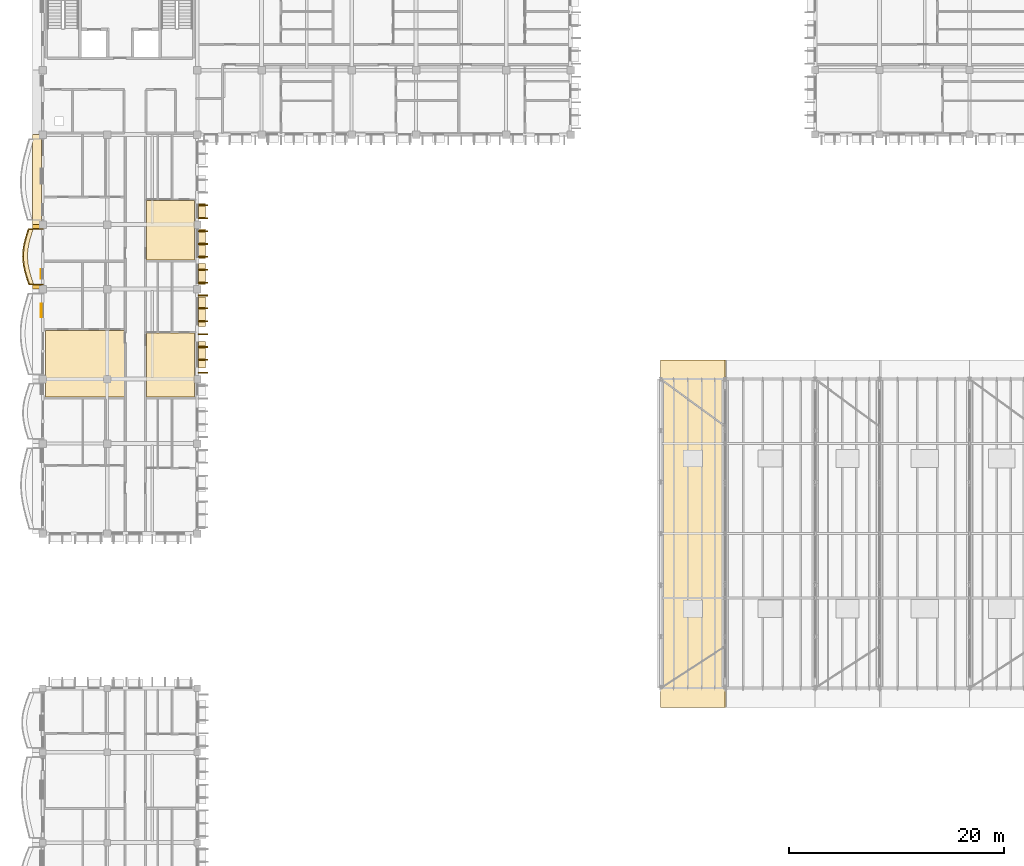
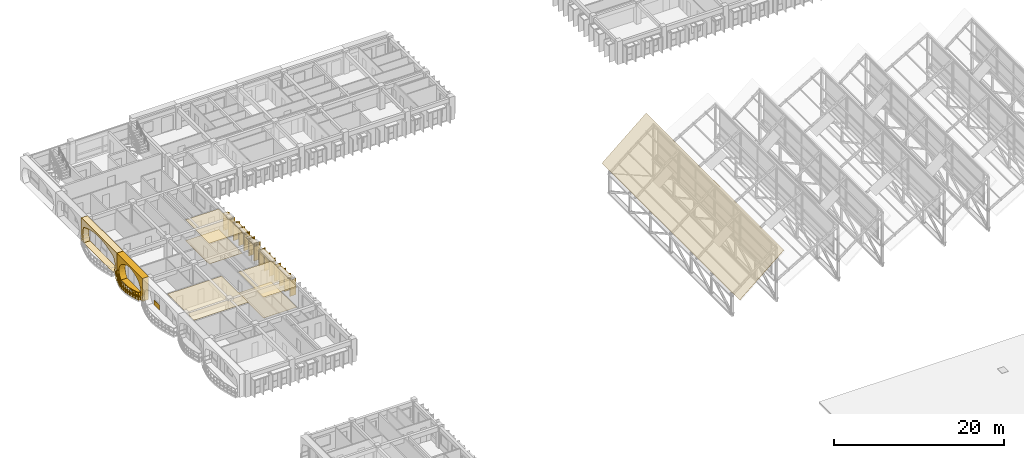
# One storey, part 79 of 101: 30 coverings, 1 railing.
"""IFC4 building model written with IfcOpenShell, lengths in metres."""

import ifcopenshell
import ifcopenshell.guid

model = None  # the IFC model being written
_history = None  # IfcOwnerHistory: only IFC2X3 demands one
_inside = {}  # id of a spatial element -> (the spatial element, [elements in it])
_under = {}  # id of a project, library or spatial element -> (it, [spatial elements below it])
_declared = {}  # id of a project -> (the project, [libraries it declares])
_typed = {}  # id of a type object -> (the type object, [elements of that type])
_made_of = {}  # id of a material, layer set ... -> (it, [elements and type objects made of it])


def new_model(schema):
    """Start an empty IFC model of exactly this schema.

    Asked for "IFC4X3", IfcOpenShell would pick the latest addendum, in which some entities
    have other attributes; the version numbers below select the first issue.
    IFC2X3 requires an IfcOwnerHistory on every rooted entity: one is made here for all.
    """
    global model, _history
    if schema == "IFC4X3":
        model = ifcopenshell.file(schema_version=(4, 3, 0, 0))
    else:
        model = ifcopenshell.file(schema=schema)
    _inside.clear()
    _under.clear()
    _declared.clear()
    _typed.clear()
    _made_of.clear()
    _history = None
    if model.schema == "IFC2X3":
        org = make("IfcOrganization", Name="unknown")
        user = make(
            "IfcPersonAndOrganization",
            ThePerson=make("IfcPerson", FamilyName="unknown"),
            TheOrganization=org,
        )
        app = make(
            "IfcApplication",
            ApplicationDeveloper=org,
            Version="unknown",
            ApplicationFullName="unknown",
            ApplicationIdentifier="unknown",
        )
        _history = make(
            "IfcOwnerHistory",
            OwningUser=user,
            OwningApplication=app,
            ChangeAction="ADDED",
            CreationDate=0,
        )
    return model


def make(cls, **values):
    """One entity of the class cls with the attributes given. An attribute that is None is left unset."""
    return model.create_entity(
        cls, **{name: value for name, value in values.items() if value is not None}
    )


def rooted(cls, **values):
    """An entity with a GlobalId (a new one), such as an element, a storey or a relation."""
    return make(cls, GlobalId=ifcopenshell.guid.new(), OwnerHistory=_history, **values)


def si_unit(unit_type, name, prefix=None):
    """IfcSIUnit, for example si_unit("LENGTHUNIT", "METRE", prefix="MILLI")."""
    return make("IfcSIUnit", UnitType=unit_type, Prefix=prefix, Name=name)


def assignment(units):
    """IfcUnitAssignment: the units of a project."""
    return None if units is None else make("IfcUnitAssignment", Units=units)


def point(xyz):
    """IfcCartesianPoint."""
    return None if xyz is None else make("IfcCartesianPoint", Coordinates=xyz)


def direction(xyz):
    """IfcDirection."""
    return None if xyz is None else make("IfcDirection", DirectionRatios=xyz)


def frame(location, z_axis=None, x_axis=None):
    """IfcAxis2Placement3D, a coordinate frame: its origin and axes. An axis left out is left unset."""
    return make(
        "IfcAxis2Placement3D",
        Location=point(location),
        Axis=direction(z_axis),
        RefDirection=direction(x_axis),
    )


def frame_2d(location, x_axis=None):
    """IfcAxis2Placement2D, a coordinate frame in the plane: its origin and x axis."""
    return make(
        "IfcAxis2Placement2D", Location=point(location), RefDirection=direction(x_axis)
    )


def origin():
    """The frame at (0, 0, 0) with its axes left unset."""
    return frame((0.0, 0.0, 0.0))


def origin_2d():
    """The frame at (0, 0) in the plane with its x axis left unset."""
    return frame_2d((0.0, 0.0))


def place(relative_to, where):
    """IfcLocalPlacement: puts the frame where relative to a parent placement (None: the world)."""
    return make(
        "IfcLocalPlacement", PlacementRelTo=relative_to, RelativePlacement=where
    )


def context(
    kind, dimensions, precision=None, world=None, true_north=None, identifier=None
):
    """IfcGeometricRepresentationContext, for example the 3D "Model" context."""
    return make(
        "IfcGeometricRepresentationContext",
        ContextIdentifier=identifier,
        ContextType=kind,
        CoordinateSpaceDimension=dimensions,
        Precision=precision,
        WorldCoordinateSystem=world,
        TrueNorth=true_north,
    )


def subcontext(parent, identifier, kind, view, scale=None):
    """IfcGeometricRepresentationSubContext, for example "Body" below "Model"."""
    return make(
        "IfcGeometricRepresentationSubContext",
        ContextIdentifier=identifier,
        ContextType=kind,
        ParentContext=parent,
        TargetScale=scale,
        TargetView=view,
    )


def project(units=None, contexts=None):
    """IfcProject with its units and contexts."""
    return rooted(
        "IfcProject",
        Name="project",
        RepresentationContexts=contexts,
        UnitsInContext=assignment(units),
    )


def spatial(cls, under=None, at=None, **own):
    """A site, building, storey or space (cls), placed at a placement, below another one or the project."""
    s = rooted(cls, ObjectPlacement=at, **own)
    if under is not None:
        _under.setdefault(under.id(), (under, []))[1].append(s)
    return s


def polyline(points):
    """IfcPolyline through the points."""
    return make("IfcPolyline", Points=[point(p) for p in points])


def profile(cls, at=None, kind="AREA", **sizes):
    """A parametric profile (cls). Its sizes go by their IFC names, for example OverallWidth=200.0."""
    return make(cls, ProfileType=kind, Position=at, **sizes)


def rectangle(**sizes):
    """IfcRectangleProfileDef."""
    return profile("IfcRectangleProfileDef", **sizes)


def outline(outer, holes=None, kind="AREA"):
    """IfcArbitraryClosedProfileDef: a profile drawn as a closed curve; with holes, ...WithVoids."""
    if holes is None:
        return make("IfcArbitraryClosedProfileDef", ProfileType=kind, OuterCurve=outer)
    return make(
        "IfcArbitraryProfileDefWithVoids",
        ProfileType=kind,
        OuterCurve=outer,
        InnerCurves=holes,
    )


def extrude(swept, where, along, depth):
    """IfcExtrudedAreaSolid: the profile swept, set in the frame where, extruded along a direction by depth."""
    return make(
        "IfcExtrudedAreaSolid",
        SweptArea=swept,
        Position=where,
        ExtrudedDirection=direction(along),
        Depth=depth,
    )


def shape(context_of_items, identifier, shape_type, items):
    """IfcShapeRepresentation: the items that make up one representation, for example the "Body"."""
    return make(
        "IfcShapeRepresentation",
        ContextOfItems=context_of_items,
        RepresentationIdentifier=identifier,
        RepresentationType=shape_type,
        Items=items,
    )


def material(Name=None, Category=None):
    """IfcMaterial."""
    return make("IfcMaterial", Name=Name, Category=Category)


def layer(
    of_material, thickness, ventilated=None, Name=None, Category=None, Priority=None
):
    """IfcMaterialLayer: one layer of a wall or slab, of a material (None: an air gap)."""
    return make(
        "IfcMaterialLayer",
        Material=of_material,
        LayerThickness=thickness,
        IsVentilated=ventilated,
        Name=Name,
        Category=Category,
        Priority=Priority,
    )


def layer_set(layers, Name=None):
    """IfcMaterialLayerSet."""
    return make("IfcMaterialLayerSet", MaterialLayers=layers, LayerSetName=Name)


def made_of(thing, what):
    """Note that an element or type object is made of a material, layer set ...; save() writes the relation."""
    if what is not None:
        _made_of.setdefault(what.id(), (what, []))[1].append(thing)
    return thing


def type_object(cls, material=None, **own):
    """A type object (cls), such as IfcWallType, which elements share."""
    return made_of(rooted(cls, **own), material)


def element(
    cls,
    number,
    at=None,
    inside=None,
    cuts=None,
    type_object=None,
    material=None,
    context=None,
    identifier="Body",
    shape_type=None,
    held_by="IfcProductDefinitionShape",
    body=None,
    shapes=None,
    **own,
):
    """One element of the class cls, such as IfcWall. Its Tag is "e" and its number.

    at: its placement. inside: the storey or other place that contains it. cuts: it is an
    opening in that element (IfcRelVoidsElement). A single representation is given by context,
    identifier, shape_type and body (its items); several are given by shapes. held_by: the class
    of the entity that holds the representations. save() writes the other relations.
    """
    e = rooted(cls, Tag="e%d" % number, ObjectPlacement=at, **own)
    if body is not None:
        shapes = [shape(context, identifier, shape_type, body)]
    if shapes is not None:
        e.Representation = make(held_by, Representations=shapes)
    if inside is not None:
        _inside.setdefault(inside.id(), (inside, []))[1].append(e)
    if cuts is not None:
        rooted(
            "IfcRelVoidsElement", RelatingBuildingElement=cuts, RelatedOpeningElement=e
        )
    if type_object is not None:
        _typed.setdefault(type_object.id(), (type_object, []))[1].append(e)
    return made_of(e, material)


def aggregate(whole, parts):
    """IfcRelAggregates: a whole, such as a stair, and the parts it consists of."""
    return rooted("IfcRelAggregates", RelatingObject=whole, RelatedObjects=parts)


def save(model, path):
    """Write the relations noted so far, then the file.

    IfcRelAggregates (storeys below a building ...), IfcRelContainedInSpatialStructure (elements
    in a storey), IfcRelDefinesByType, IfcRelAssociatesMaterial and IfcRelDeclares: one each for
    every whole, place, type object, material and project.
    """
    for whole, parts in _under.values():
        aggregate(whole, parts)
    for where, things in _inside.values():
        rooted(
            "IfcRelContainedInSpatialStructure",
            RelatedElements=things,
            RelatingStructure=where,
        )
    for kind, things in _typed.values():
        rooted("IfcRelDefinesByType", RelatedObjects=things, RelatingType=kind)
    for what, things in _made_of.values():
        rooted("IfcRelAssociatesMaterial", RelatedObjects=things, RelatingMaterial=what)
    for by, libraries in _declared.values():
        rooted("IfcRelDeclares", RelatingContext=by, RelatedDefinitions=libraries)
    model.write(path)


model = new_model("IFC4")

# Units and contexts
model_context = context("Model", 3, precision=1e-05, world=origin(), true_north=direction((0.0, 1.0)))
body_context = subcontext(model_context, "Body", "Model", "MODEL_VIEW")
ifc_project = project(units=[si_unit("LENGTHUNIT", "METRE"), si_unit("AREAUNIT", "SQUARE_METRE"), si_unit("VOLUMEUNIT", "CUBIC_METRE"), si_unit("PLANEANGLEUNIT", "RADIAN"), si_unit("MASSUNIT", "GRAM", prefix="KILO"), si_unit("THERMODYNAMICTEMPERATUREUNIT", "KELVIN")], contexts=[model_context])

# Site, building, storey
site_placement = place(None, origin())
site = spatial("IfcSite", under=ifc_project, at=site_placement, CompositionType="ELEMENT")
building_placement = place(site_placement, origin())
building = spatial("IfcBuilding", under=site, at=building_placement, Name="Thalorik Housing Commons", CompositionType="ELEMENT")
storey_placement = place(building_placement, frame((0.0, 0.0, 8.10009765625)))
storey = spatial("IfcBuildingStorey", under=building, at=storey_placement, Name="L02", CompositionType="ELEMENT", Elevation=8.10009765625)

# Coverings
ifc_material_1 = material(Name="Precast concrete C40/50", Category="concrete")
ifc_layer_1 = layer(ifc_material_1, 0.85009765625, Name="Precast concrete C40/50", Category="concrete")
ifc_layer_set_1 = layer_set([ifc_layer_1], Name="Precast concrete C40/50")
covering_type_1 = type_object("IfcCoveringType", Name="ARC-CLD-CUSH-850", PredefinedType="CLADDING", material=ifc_layer_set_1)
covering_1_placement = place(storey_placement, frame((7.867431640625, 105.0, 0.0), z_axis=(0.0, 0.0, 1.0), x_axis=(0.0, -1.0, 0.0)))
element("IfcCovering", 1, at=covering_1_placement, inside=storey, type_object=covering_type_1, Name="L02 White Precast Curved Cushion Bay Frame 196", PredefinedType="CLADDING", context=body_context, shape_type="SweptSolid", body=[
    extrude(outline(polyline([(-4.199951171875, 0.0), (4.199951171875, 0.0), (4.199951171875, 3.300048828125), (-4.199951171875, 3.300048828125), (-4.199951171875, 0.0)]), holes=[polyline([(3.392578125, 0.02490234375), (3.591064453125, 0.399169921875), (3.710205078125, 0.773193359375), (3.75, 1.1474609375), (3.710205078125, 1.521728515625), (3.591064453125, 1.895751953125), (3.392578125, 2.27001953125), (2.807373046875, 2.50439453125), (2.22216796875, 2.6884765625), (1.636962890625, 2.837646484375), (1.0517578125, 2.948486328125), (0.466552734375, 3.016845703125), (-0.118896484375, 3.0400390625), (-0.7041015625, 3.016845703125), (-1.289306640625, 2.948486328125), (-1.87451171875, 2.837646484375), (-2.459716796875, 2.6884765625), (-3.044921875, 2.50439453125), (-3.6298828125, 2.27001953125), (-3.750244140625, 1.895751953125), (-3.822509765625, 1.521728515625), (-3.8466796875, 1.1474609375), (-3.822509765625, 0.773193359375), (-3.750244140625, 0.399169921875), (-3.6298828125, 0.02490234375), (3.392578125, 0.02490234375)])]), frame((0.0, 0.425048828125, 0.0), z_axis=(0.0, -1.0, 0.0), x_axis=(1.0, 0.0, 0.0)), (0.0, 0.0, 1.0), 0.85009765625),
])
covering_2_placement = place(storey_placement, frame((7.867431640625, 97.800048828125, 0.0), z_axis=(0.0, 0.0, 1.0), x_axis=(0.0, -1.0, 0.0)))
element("IfcCovering", 2, at=covering_2_placement, inside=storey, type_object=covering_type_1, Name="L02 White Precast Curved Cushion Bay Frame 198", PredefinedType="CLADDING", context=body_context, shape_type="SweptSolid", body=[
    extrude(outline(polyline([(-3.0, 0.0), (3.0, 0.0), (3.0, 3.300048828125), (-3.0, 3.300048828125), (-3.0, 0.0)]), holes=[polyline([(2.10009765625, 0.02490234375), (2.35009765625, 0.394287109375), (2.5, 0.76318359375), (2.550048828125, 1.132568359375), (2.5, 1.501708984375), (2.35009765625, 1.870849609375), (2.10009765625, 2.239990234375), (1.7548828125, 2.4833984375), (1.409912109375, 2.6748046875), (1.06494140625, 2.82958984375), (0.719970703125, 2.94482421875), (0.375, 3.01611328125), (0.030029296875, 3.0400390625), (-0.31494140625, 3.01611328125), (-0.659912109375, 2.94482421875), (-1.0048828125, 2.82958984375), (-1.35009765625, 2.6748046875), (-1.695068359375, 2.4833984375), (-2.0400390625, 2.239990234375), (-2.3232421875, 1.870849609375), (-2.493408203125, 1.501708984375), (-2.550048828125, 1.132568359375), (-2.493408203125, 0.76318359375), (-2.3232421875, 0.394287109375), (-2.0400390625, 0.02490234375), (2.10009765625, 0.02490234375)])]), frame((0.0, 0.425048828125, 0.0), z_axis=(0.0, -1.0, 0.0), x_axis=(1.0, 0.0, 0.0)), (0.0, 0.0, 1.0), 0.85009765625),
])
ifc_layer_2 = layer(ifc_material_1, 0.85009765625, Name="Precast concrete C40/50", Category="concrete")
ifc_layer_set_2 = layer_set([ifc_layer_2], Name="Precast concrete C40/50")
covering_type_2 = type_object("IfcCoveringType", Name="ARC-CLD-FIN-850", PredefinedType="CLADDING", material=ifc_layer_set_2)
for number, where, z_axis, x_axis, name in (
    (3, (23.33251953125, 87.0, 0.0400390625), (0.0, 0.0, 1.0), (0.0, 1.0, 0.0), "L02 Courtyard Precast Vertical Brise-Soleil Fin 240"),
    (4, (23.33251953125, 88.199951171875, 0.0400390625), (0.0, 0.0, 1.0), (0.0, 1.0, 0.0), "L02 Courtyard Precast Vertical Brise-Soleil Fin 241"),
    (5, (23.33251953125, 89.39990234375, 0.0400390625), (0.0, 0.0, 1.0), (0.0, 1.0, 0.0), "L02 Courtyard Precast Vertical Brise-Soleil Fin 242"),
    (6, (23.33251953125, 90.60009765625, 0.0400390625), (0.0, 0.0, 1.0), (0.0, 1.0, 0.0), "L02 Courtyard Precast Vertical Brise-Soleil Fin 243"),
    (7, (23.33251953125, 91.800048828125, 0.0400390625), (0.0, 0.0, 1.0), (0.0, 1.0, 0.0), "L02 Courtyard Precast Vertical Brise-Soleil Fin 244"),
    (8, (23.33251953125, 93.0, 0.0400390625), (0.0, 0.0, 1.0), (0.0, 1.0, 0.0), "L02 Courtyard Precast Vertical Brise-Soleil Fin 245"),
    (9, (23.33251953125, 94.199951171875, 0.0400390625), (0.0, 0.0, 1.0), (0.0, 1.0, 0.0), "L02 Courtyard Precast Vertical Brise-Soleil Fin 246"),
):
    element("IfcCovering", number, at=place(storey_placement, frame(where, z_axis=z_axis, x_axis=x_axis)), inside=storey, type_object=covering_type_2, Name=name, PredefinedType="CLADDING", context=body_context, shape_type="SweptSolid", body=[
        extrude(rectangle(XDim=0.110107421875, YDim=0.85009765625, at=origin_2d()), origin(), (0.0, 0.0, 1.0), 2.344970703125),
    ])
for number, where, z_axis, x_axis, name in (
    (10, (23.33251953125, 95.39990234375, 0.039794921875), (0.0, 0.0, 1.0), (0.0, 1.0, 0.0), "L02 Courtyard Precast Vertical Brise-Soleil Fin 249"),
    (11, (23.33251953125, 96.60009765625, 0.039794921875), (0.0, 0.0, 1.0), (0.0, 1.0, 0.0), "L02 Courtyard Precast Vertical Brise-Soleil Fin 250"),
    (12, (23.33251953125, 97.800048828125, 0.039794921875), (0.0, 0.0, 1.0), (0.0, 1.0, 0.0), "L02 Courtyard Precast Vertical Brise-Soleil Fin 251"),
    (13, (23.33251953125, 99.0, 0.039794921875), (0.0, 0.0, 1.0), (0.0, 1.0, 0.0), "L02 Courtyard Precast Vertical Brise-Soleil Fin 252"),
    (14, (23.33251953125, 100.199951171875, 0.039794921875), (0.0, 0.0, 1.0), (0.0, 1.0, 0.0), "L02 Courtyard Precast Vertical Brise-Soleil Fin 253"),
):
    element("IfcCovering", number, at=place(storey_placement, frame(where, z_axis=z_axis, x_axis=x_axis)), inside=storey, type_object=covering_type_2, Name=name, PredefinedType="CLADDING", context=body_context, shape_type="SweptSolid", body=[
        extrude(rectangle(XDim=0.110107421875, YDim=0.85009765625, at=origin_2d()), origin(), (0.0, 0.0, 1.0), 2.4951171875),
    ])
for number, where, z_axis, x_axis, name in (
    (15, (23.33251953125, 101.39990234375, 0.0400390625), (0.0, 0.0, 1.0), (0.0, 1.0, 0.0), "L02 Courtyard Precast Vertical Brise-Soleil Fin 256"),
    (16, (23.33251953125, 102.60009765625, 0.0400390625), (0.0, 0.0, 1.0), (0.0, 1.0, 0.0), "L02 Courtyard Precast Vertical Brise-Soleil Fin 257"),
):
    element("IfcCovering", number, at=place(storey_placement, frame(where, z_axis=z_axis, x_axis=x_axis)), inside=storey, type_object=covering_type_2, Name=name, PredefinedType="CLADDING", context=body_context, shape_type="SweptSolid", body=[
        extrude(rectangle(XDim=0.110107421875, YDim=0.85009765625, at=origin_2d()), origin(), (0.0, 0.0, 1.0), 2.344970703125),
    ])
ifc_layer_3 = layer(ifc_material_1, 0.64990234375, Name="Precast concrete C40/50", Category="concrete")
ifc_layer_set_3 = layer_set([ifc_layer_3], Name="Precast concrete C40/50")
covering_type_3 = type_object("IfcCoveringType", Name="ARC-CLD-HOOD-650", PredefinedType="CLADDING", material=ifc_layer_set_3)
covering_3_placement = place(storey_placement, frame((23.232421875, 88.6796875, 2.27490234375), z_axis=(0.0, 0.0, 1.0), x_axis=(0.0, 1.0, 0.0)))
element("IfcCovering", 17, at=covering_3_placement, inside=storey, type_object=covering_type_3, Name="L02 Courtyard Precast Window Sun-Hood 247", PredefinedType="CLADDING", context=body_context, shape_type="SweptSolid", body=[
    extrude(rectangle(XDim=2.47998046875, YDim=0.64990234375, at=origin_2d()), origin(), (0.0, 0.0, 1.0), 0.139892578125),
])
covering_4_placement = place(storey_placement, frame((23.232421875, 92.689697265625, 2.25), z_axis=(0.0, 0.0, 1.0), x_axis=(0.0, 1.0, 0.0)))
element("IfcCovering", 18, at=covering_4_placement, inside=storey, type_object=covering_type_3, Name="L02 Courtyard Precast Window Sun-Hood 248", PredefinedType="CLADDING", context=body_context, shape_type="SweptSolid", body=[
    extrude(rectangle(XDim=2.719970703125, YDim=0.64990234375, at=origin_2d()), origin(), (0.0, 0.0, 1.0), 0.139892578125),
])
covering_5_placement = place(storey_placement, frame((23.232421875, 96.199951171875, 2.23974609375), z_axis=(0.0, 0.0, 1.0), x_axis=(0.0, 1.0, 0.0)))
element("IfcCovering", 19, at=covering_5_placement, inside=storey, type_object=covering_type_3, Name="L02 Courtyard Precast Window Sun-Hood 254", PredefinedType="CLADDING", context=body_context, shape_type="SweptSolid", body=[
    extrude(rectangle(XDim=1.989990234375, YDim=0.64990234375, at=origin_2d()), origin(), (0.0, 0.0, 1.0), 0.139892578125),
])
covering_6_placement = place(storey_placement, frame((23.232421875, 99.010009765625, 2.39013671875), z_axis=(0.0, 0.0, 1.0), x_axis=(0.0, 1.0, 0.0)))
element("IfcCovering", 20, at=covering_6_placement, inside=storey, type_object=covering_type_3, Name="L02 Courtyard Precast Window Sun-Hood 255", PredefinedType="CLADDING", context=body_context, shape_type="SweptSolid", body=[
    extrude(rectangle(XDim=2.739990234375, YDim=0.64990234375, at=origin_2d()), origin(), (0.0, 0.0, 1.0), 0.139892578125),
])
covering_7_placement = place(storey_placement, frame((23.232421875, 102.063232421875, 2.27490234375), z_axis=(0.0, 0.0, 1.0), x_axis=(0.0, 1.0, 0.0)))
element("IfcCovering", 21, at=covering_7_placement, inside=storey, type_object=covering_type_3, Name="L02 Courtyard Precast Window Sun-Hood 263", PredefinedType="CLADDING", context=body_context, shape_type="SweptSolid", body=[
    extrude(rectangle(XDim=1.43994140625, YDim=0.64990234375, at=origin_2d()), origin(), (0.0, 0.0, 1.0), 0.139892578125),
])
ifc_material_2 = material(Name="Terracotta red mineral fibre-cement panel", Category="masonry")
ifc_layer_4 = layer(ifc_material_2, 0.054931640625, Name="Terracotta red mineral fibre-cement panel", Category="masonry")
ifc_layer_set_4 = layer_set([ifc_layer_4], Name="Terracotta red mineral fibre-cement panel")
covering_type_4 = type_object("IfcCoveringType", Name="ARC-CLD-RED-55", PredefinedType="CLADDING", material=ifc_layer_set_4)
covering_8_placement = place(storey_placement, frame((8.260009765625, 92.8173828125, 0.0498046875), z_axis=(0.0, 0.0, 1.0), x_axis=(0.0, -1.0, 0.0)))
element("IfcCovering", 22, at=covering_8_placement, inside=storey, type_object=covering_type_4, Name="L02 De Stijl Recessed Window Spandrel 201", PredefinedType="CLADDING", context=body_context, shape_type="SweptSolid", body=[
    extrude(rectangle(XDim=1.25, YDim=0.054931640625, at=origin_2d()), origin(), (0.0, 0.0, 1.0), 0.699951171875),
])
ifc_material_3 = material(Name="Mineral ochre architectural terracotta panel", Category="masonry")
ifc_layer_5 = layer(ifc_material_3, 0.06494140625, Name="Mineral ochre architectural terracotta panel", Category="masonry")
ifc_layer_set_5 = layer_set([ifc_layer_5], Name="Mineral ochre architectural terracotta panel")
covering_type_5 = type_object("IfcCoveringType", Name="ARC-CLD-YEL-65", PredefinedType="CLADDING", material=ifc_layer_set_5)
covering_9_placement = place(storey_placement, frame((8.2548828125, 96.199951171875, 0.0498046875), z_axis=(0.0, 0.0, 1.0), x_axis=(0.0, -1.0, 0.0)))
element("IfcCovering", 23, at=covering_9_placement, inside=storey, type_object=covering_type_5, Name="L02 De Stijl Recessed Window Spandrel 199", PredefinedType="CLADDING", context=body_context, shape_type="SweptSolid", body=[
    extrude(rectangle(XDim=0.89990234375, YDim=0.06494140625, at=origin_2d()), origin(), (0.0, 0.0, 1.0), 0.699951171875),
])
ifc_material_4 = material(Name="Perforated acoustic gypsum ceiling board")
ifc_layer_6 = layer(ifc_material_4, 0.014892578125, Name="Perforated acoustic gypsum ceiling board")
ifc_layer_set_6 = layer_set([ifc_layer_6], Name="Perforated acoustic gypsum ceiling board")
covering_type_6 = type_object("IfcCoveringType", Name="ARC-COV-CEIL-01", PredefinedType="CEILING", material=ifc_layer_set_6)
covering_10_placement = place(storey_placement, frame((0.0, 0.0, 2.98486328125)))
element("IfcCovering", 24, at=covering_10_placement, inside=storey, type_object=covering_type_6, Name="L02 Living Dining Room Suspended Ceiling", PredefinedType="CEILING", context=body_context, shape_type="SweptSolid", body=[
    extrude(outline(polyline([(22.56005859375, 90.69970703125), (18.06005859375, 90.69970703125), (18.06005859375, 84.719970703125), (22.56005859375, 84.719970703125), (22.56005859375, 90.69970703125)])), origin(), (0.0, 0.0, 1.0), 0.01513671875),
])
ifc_material_5 = material(Name="Mineral fibre acoustic ceiling tile")
ifc_layer_7 = layer(ifc_material_5, 0.01806640625, Name="Mineral fibre acoustic ceiling tile")
ifc_layer_set_7 = layer_set([ifc_layer_7], Name="Mineral fibre acoustic ceiling tile")
covering_type_7 = type_object("IfcCoveringType", Name="ARC-COV-CEIL-02", PredefinedType="CEILING", material=ifc_layer_set_7)
covering_11_placement = place(storey_placement, frame((0.0, 0.0, 2.98193359375)))
element("IfcCovering", 25, at=covering_11_placement, inside=storey, type_object=covering_type_7, Name="L02 Family Lounge Suspended Ceiling", PredefinedType="CEILING", context=body_context, shape_type="SweptSolid", body=[
    extrude(outline(polyline([(22.56005859375, 103.06640625), (18.06005859375, 103.06640625), (18.06005859375, 97.489990234375), (22.56005859375, 97.489990234375), (22.56005859375, 103.06640625)])), origin(), (0.0, 0.0, 1.0), 0.01806640625),
])
ifc_material_6 = material(Name="Acoustic wood-wool nursery ceiling panel", Category="wood")
ifc_layer_8 = layer(ifc_material_6, 0.035888671875, Name="Acoustic wood-wool nursery ceiling panel", Category="wood")
ifc_layer_set_8 = layer_set([ifc_layer_8], Name="Acoustic wood-wool nursery ceiling panel")
covering_type_8 = type_object("IfcCoveringType", Name="ARC-COV-CEIL-06", PredefinedType="CEILING", material=ifc_layer_set_8)
covering_12_placement = place(storey_placement, frame((0.0, 0.0, 2.9638671875)))
element("IfcCovering", 26, at=covering_12_placement, inside=storey, type_object=covering_type_8, Name="L02 Living Dining Room Suspended Ceiling", PredefinedType="CEILING", context=body_context, shape_type="SweptSolid", body=[
    extrude(outline(polyline([(16.0, 90.955078125), (8.639892578125, 90.955078125), (8.639892578125, 84.719970703125), (16.0, 84.719970703125), (16.0, 90.955078125)])), origin(), (0.0, 0.0, 1.0), 0.0361328125),
])
ifc_material_7 = material(Name="Glazed Recife ceramic apartment floor tile")
ifc_layer_9 = layer(ifc_material_7, 0.011962890625, Name="Glazed Recife ceramic apartment floor tile")
ifc_layer_set_9 = layer_set([ifc_layer_9], Name="Glazed Recife ceramic apartment floor tile")
covering_type_9 = type_object("IfcCoveringType", Name="ARC-COV-FLR-01", PredefinedType="FLOORING", material=ifc_layer_set_9)
covering_13_placement = place(storey_placement, origin())
element("IfcCovering", 27, at=covering_13_placement, inside=storey, type_object=covering_type_9, Name="L02 Living Dining Room Flooring", PredefinedType="FLOORING", context=body_context, shape_type="SweptSolid", body=[
    extrude(outline(polyline([(22.56005859375, 90.69970703125), (18.06005859375, 90.69970703125), (18.06005859375, 84.719970703125), (22.56005859375, 84.719970703125), (22.56005859375, 90.69970703125)])), origin(), (0.0, 0.0, 1.0), 0.011962890625),
])
ifc_material_8 = material(Name="Slip-resistant quarry terracotta corridor tile", Category="masonry")
ifc_layer_10 = layer(ifc_material_8, 0.01611328125, Name="Slip-resistant quarry terracotta corridor tile", Category="masonry")
ifc_layer_set_10 = layer_set([ifc_layer_10], Name="Slip-resistant quarry terracotta corridor tile")
covering_type_10 = type_object("IfcCoveringType", Name="ARC-COV-FLR-02", PredefinedType="FLOORING", material=ifc_layer_set_10)
covering_14_placement = place(storey_placement, origin())
element("IfcCovering", 28, at=covering_14_placement, inside=storey, type_object=covering_type_10, Name="L02 Family Lounge Flooring", PredefinedType="FLOORING", context=body_context, shape_type="SweptSolid", body=[
    extrude(outline(polyline([(22.56005859375, 103.06640625), (18.06005859375, 103.06640625), (18.06005859375, 97.489990234375), (22.56005859375, 97.489990234375), (22.56005859375, 103.06640625)])), origin(), (0.0, 0.0, 1.0), 0.015869140625),
])
ifc_material_9 = material(Name="Planted vegetated substrate and terracotta trough", Category="masonry")
ifc_layer_11 = layer(ifc_material_9, 0.340087890625, Name="Planted vegetated substrate and terracotta trough", Category="masonry")
ifc_layer_set_11 = layer_set([ifc_layer_11], Name="Planted vegetated substrate and terracotta trough")
covering_type_11 = type_object("IfcCoveringType", Name="ARC-COV-PLANTER", PredefinedType="USERDEFINED", material=ifc_layer_set_11)
covering_15_placement = place(storey_placement, origin())
element("IfcCovering", 29, at=covering_15_placement, inside=storey, type_object=covering_type_11, Name="L02 Balcony Slab-Edge Planted Trough 5325", ObjectType="PLANTER", PredefinedType="USERDEFINED", context=body_context, shape_type="SweptSolid", body=[
    extrude(outline(polyline([(7.122802734375, 100.3798828125), (6.985595703125, 99.949951171875), (6.858154296875, 99.52001953125), (6.7490234375, 99.090087890625), (6.666748046875, 98.659912109375), (6.616943359375, 98.22998046875), (6.60400390625, 97.800048828125), (6.62841796875, 97.3701171875), (6.689208984375, 96.93994140625), (6.781982421875, 96.510009765625), (6.900146484375, 96.080078125), (7.035400390625, 95.64990234375), (7.17822265625, 95.219970703125), (7.558349609375, 95.219970703125), (7.415283203125, 95.64990234375), (7.280029296875, 96.080078125), (7.161865234375, 96.510009765625), (7.069091796875, 96.93994140625), (7.008544921875, 97.3701171875), (6.98388671875, 97.800048828125), (6.9970703125, 98.22998046875), (7.046630859375, 98.659912109375), (7.12890625, 99.090087890625), (7.238037109375, 99.52001953125), (7.36572265625, 99.949951171875), (7.502685546875, 100.3798828125), (7.122802734375, 100.3798828125)])), origin(), (0.0, 0.0, 1.0), 0.33984375),
])

# Railing
ifc_material_10 = material(Name="Steel S355", Category="steel")
railing_type = type_object("IfcRailingType", Name="ARC-RL-BAL-115", PredefinedType="BALUSTRADE", material=ifc_material_10)
railing_placement = place(storey_placement, frame((8.39990234375, 100.3798828125, 0.0)))
element("IfcRailing", 30, at=railing_placement, inside=storey, type_object=railing_type, Name="L02 Cushion Balcony Guardrail 9", PredefinedType="BALUSTRADE", context=body_context, shape_type="SweptSolid", body=[
    extrude(rectangle(XDim=0.050048828125, YDim=0.050048828125, at=origin_2d()), frame((0.0, 0.0, 1.125), z_axis=(-1.0, 0.0, 0.0), x_axis=(0.0, -1.0, 0.0)), (0.0, 0.0, 1.0), 1.34716796875),
    extrude(rectangle(XDim=0.050048828125, YDim=0.050048828125, at=origin_2d()), frame((0.0, 0.0, 0.5498046875), z_axis=(-1.0, 0.0, 0.0), x_axis=(0.0, -1.0, 0.0)), (0.0, 0.0, 1.0), 1.34716796875),
    extrude(rectangle(XDim=0.050048828125, YDim=0.050048828125, at=origin_2d()), frame((-1.34716796875, 0.0, 1.125), z_axis=(-0.30353863317, -0.952819131931, 0.0), x_axis=(0.952819131931, -0.30353863317, 0.0)), (0.0, 0.0, 1.0), 0.451171875),
    extrude(rectangle(XDim=0.050048828125, YDim=0.050048828125, at=origin_2d()), frame((-1.34716796875, 0.0, 0.5498046875), z_axis=(-0.30353863317, -0.952819131931, 0.0), x_axis=(0.952819131931, -0.30353863317, 0.0)), (0.0, 0.0, 1.0), 0.451171875),
    extrude(rectangle(XDim=0.050048828125, YDim=0.050048828125, at=origin_2d()), frame((-1.484130859375, -0.429931640625, 1.125), z_axis=(-0.284699903817, -0.958616693349, 0.0), x_axis=(0.958616693349, -0.284699903817, 0.0)), (0.0, 0.0, 1.0), 0.448486328125),
    extrude(rectangle(XDim=0.050048828125, YDim=0.050048828125, at=origin_2d()), frame((-1.484130859375, -0.429931640625, 0.5498046875), z_axis=(-0.284699903817, -0.958616693349, 0.0), x_axis=(0.958616693349, -0.284699903817, 0.0)), (0.0, 0.0, 1.0), 0.448486328125),
    extrude(rectangle(XDim=0.050048828125, YDim=0.050048828125, at=origin_2d()), frame((-1.61181640625, -0.85986328125, 1.125), z_axis=(-0.246030735981, -0.969262026984, 0.0), x_axis=(0.969262026984, -0.246030735981, 0.0)), (0.0, 0.0, 1.0), 0.443603515625),
    extrude(rectangle(XDim=0.050048828125, YDim=0.050048828125, at=origin_2d()), frame((-1.61181640625, -0.85986328125, 0.5498046875), z_axis=(-0.246030735981, -0.969262026984, 0.0), x_axis=(0.969262026984, -0.246030735981, 0.0)), (0.0, 0.0, 1.0), 0.443603515625),
    extrude(rectangle(XDim=0.050048828125, YDim=0.050048828125, at=origin_2d()), frame((-1.720947265625, -1.289794921875, 1.125), z_axis=(-0.187854891688, -0.98219679274, 0.0), x_axis=(0.98219679274, -0.187854891688, 0.0)), (0.0, 0.0, 1.0), 0.43798828125),
    extrude(rectangle(XDim=0.050048828125, YDim=0.050048828125, at=origin_2d()), frame((-1.720947265625, -1.289794921875, 0.5498046875), z_axis=(-0.187854891688, -0.98219679274, 0.0), x_axis=(0.98219679274, -0.187854891688, 0.0)), (0.0, 0.0, 1.0), 0.43798828125),
    extrude(rectangle(XDim=0.050048828125, YDim=0.050048828125, at=origin_2d()), frame((-1.80322265625, -1.719970703125, 1.125), z_axis=(-0.114517047407, -0.993421283169, 0.0), x_axis=(0.993421283169, -0.114517047407, 0.0)), (0.0, 0.0, 1.0), 0.432861328125),
    extrude(rectangle(XDim=0.050048828125, YDim=0.050048828125, at=origin_2d()), frame((-1.80322265625, -1.719970703125, 0.5498046875), z_axis=(-0.114517047407, -0.993421283169, 0.0), x_axis=(0.993421283169, -0.114517047407, 0.0)), (0.0, 0.0, 1.0), 0.432861328125),
    extrude(rectangle(XDim=0.050048828125, YDim=0.050048828125, at=origin_2d()), frame((-1.852783203125, -2.14990234375, 1.125), z_axis=(-0.030649988445, -0.999530178738, 0.0), x_axis=(0.999530178738, -0.030649988445, 0.0)), (0.0, 0.0, 1.0), 0.43017578125),
    extrude(rectangle(XDim=0.050048828125, YDim=0.050048828125, at=origin_2d()), frame((-1.852783203125, -2.14990234375, 0.5498046875), z_axis=(-0.030649988445, -0.999530178738, 0.0), x_axis=(0.999530178738, -0.030649988445, 0.0)), (0.0, 0.0, 1.0), 0.43017578125),
    extrude(rectangle(XDim=0.050048828125, YDim=0.050048828125, at=origin_2d()), frame((-1.865966796875, -2.579833984375, 1.125), z_axis=(0.057259677, -0.998359318778, 0.0), x_axis=(0.998359318778, 0.057259677, 0.0)), (0.0, 0.0, 1.0), 0.4306640625),
    extrude(rectangle(XDim=0.050048828125, YDim=0.050048828125, at=origin_2d()), frame((-1.865966796875, -2.579833984375, 0.5498046875), z_axis=(0.057259677, -0.998359318778, 0.0), x_axis=(0.998359318778, 0.057259677, 0.0)), (0.0, 0.0, 1.0), 0.4306640625),
    extrude(rectangle(XDim=0.050048828125, YDim=0.050048828125, at=origin_2d()), frame((-1.84130859375, -3.009765625, 1.125), z_axis=(0.139375383341, -0.990239618738, 0.0), x_axis=(0.990239618738, 0.139375383341, 0.0)), (0.0, 0.0, 1.0), 0.434326171875),
    extrude(rectangle(XDim=0.050048828125, YDim=0.050048828125, at=origin_2d()), frame((-1.84130859375, -3.009765625, 0.5498046875), z_axis=(0.139375383341, -0.990239618738, 0.0), x_axis=(0.990239618738, 0.139375383341, 0.0)), (0.0, 0.0, 1.0), 0.434326171875),
    extrude(rectangle(XDim=0.050048828125, YDim=0.050048828125, at=origin_2d()), frame((-1.78076171875, -3.43994140625, 1.125), z_axis=(0.210931472688, -0.977500851063, 0.0), x_axis=(0.977500851063, 0.210931472688, 0.0)), (0.0, 0.0, 1.0), 0.43994140625),
    extrude(rectangle(XDim=0.050048828125, YDim=0.050048828125, at=origin_2d()), frame((-1.78076171875, -3.43994140625, 0.5498046875), z_axis=(0.210931472688, -0.977500851063, 0.0), x_axis=(0.977500851063, 0.210931472688, 0.0)), (0.0, 0.0, 1.0), 0.43994140625),
    extrude(rectangle(XDim=0.050048828125, YDim=0.050048828125, at=origin_2d()), frame((-1.68798828125, -3.869873046875, 1.125), z_axis=(0.265016489476, -0.964243880098, 0.0), x_axis=(0.964243880098, 0.265016489476, 0.0)), (0.0, 0.0, 1.0), 0.44580078125),
    extrude(rectangle(XDim=0.050048828125, YDim=0.050048828125, at=origin_2d()), frame((-1.68798828125, -3.869873046875, 0.5498046875), z_axis=(0.265016489476, -0.964243880098, 0.0), x_axis=(0.964243880098, 0.265016489476, 0.0)), (0.0, 0.0, 1.0), 0.44580078125),
    extrude(rectangle(XDim=0.050048828125, YDim=0.050048828125, at=origin_2d()), frame((-1.56982421875, -4.2998046875, 1.125), z_axis=(0.299939220082, -0.953958313689, 0.0), x_axis=(0.953958313689, 0.299939220082, 0.0)), (0.0, 0.0, 1.0), 0.450927734375),
    extrude(rectangle(XDim=0.050048828125, YDim=0.050048828125, at=origin_2d()), frame((-1.56982421875, -4.2998046875, 0.5498046875), z_axis=(0.299939220082, -0.953958313689, 0.0), x_axis=(0.953958313689, 0.299939220082, 0.0)), (0.0, 0.0, 1.0), 0.450927734375),
    extrude(rectangle(XDim=0.050048828125, YDim=0.050048828125, at=origin_2d()), frame((-1.4345703125, -4.72998046875, 1.125), z_axis=(0.315742795496, -0.948844817182, 0.0), x_axis=(0.948844817182, 0.315742795496, 0.0)), (0.0, 0.0, 1.0), 0.453125),
    extrude(rectangle(XDim=0.050048828125, YDim=0.050048828125, at=origin_2d()), frame((-1.4345703125, -4.72998046875, 0.5498046875), z_axis=(0.315742795496, -0.948844817182, 0.0), x_axis=(0.948844817182, 0.315742795496, 0.0)), (0.0, 0.0, 1.0), 0.453125),
    extrude(rectangle(XDim=0.050048828125, YDim=0.050048828125, at=origin_2d()), frame((-1.29150390625, -5.159912109375, 1.125), z_axis=(1.0, 0.0, 0.0), x_axis=(0.0, 1.0, 0.0)), (0.0, 0.0, 1.0), 1.29150390625),
    extrude(rectangle(XDim=0.050048828125, YDim=0.050048828125, at=origin_2d()), frame((-1.29150390625, -5.159912109375, 0.5498046875), z_axis=(1.0, 0.0, 0.0), x_axis=(0.0, 1.0, 0.0)), (0.0, 0.0, 1.0), 1.29150390625),
    extrude(rectangle(XDim=0.0419921875, YDim=0.0419921875, at=origin_2d()), origin(), (0.0, 0.0, 1.0), 1.099853515625),
    extrude(rectangle(XDim=0.0419921875, YDim=0.0419921875, at=origin_2d()), frame((-1.34716796875, 0.0, 0.0)), (0.0, 0.0, 1.0), 1.099853515625),
    extrude(rectangle(XDim=0.0419921875, YDim=0.0419921875, at=origin_2d()), frame((-1.484130859375, -0.429931640625, 0.0)), (0.0, 0.0, 1.0), 1.099853515625),
    extrude(rectangle(XDim=0.0419921875, YDim=0.0419921875, at=origin_2d()), frame((-1.61181640625, -0.85986328125, 0.0)), (0.0, 0.0, 1.0), 1.099853515625),
    extrude(rectangle(XDim=0.0419921875, YDim=0.0419921875, at=origin_2d()), frame((-1.720947265625, -1.289794921875, 0.0)), (0.0, 0.0, 1.0), 1.099853515625),
    extrude(rectangle(XDim=0.0419921875, YDim=0.0419921875, at=origin_2d()), frame((-1.80322265625, -1.719970703125, 0.0)), (0.0, 0.0, 1.0), 1.099853515625),
    extrude(rectangle(XDim=0.0419921875, YDim=0.0419921875, at=origin_2d()), frame((-1.852783203125, -2.14990234375, 0.0)), (0.0, 0.0, 1.0), 1.099853515625),
    extrude(rectangle(XDim=0.0419921875, YDim=0.0419921875, at=origin_2d()), frame((-1.865966796875, -2.579833984375, 0.0)), (0.0, 0.0, 1.0), 1.099853515625),
    extrude(rectangle(XDim=0.0419921875, YDim=0.0419921875, at=origin_2d()), frame((-1.84130859375, -3.009765625, 0.0)), (0.0, 0.0, 1.0), 1.099853515625),
    extrude(rectangle(XDim=0.0419921875, YDim=0.0419921875, at=origin_2d()), frame((-1.78076171875, -3.43994140625, 0.0)), (0.0, 0.0, 1.0), 1.099853515625),
    extrude(rectangle(XDim=0.0419921875, YDim=0.0419921875, at=origin_2d()), frame((-1.68798828125, -3.869873046875, 0.0)), (0.0, 0.0, 1.0), 1.099853515625),
    extrude(rectangle(XDim=0.0419921875, YDim=0.0419921875, at=origin_2d()), frame((-1.56982421875, -4.2998046875, 0.0)), (0.0, 0.0, 1.0), 1.099853515625),
    extrude(rectangle(XDim=0.0419921875, YDim=0.0419921875, at=origin_2d()), frame((-1.4345703125, -4.72998046875, 0.0)), (0.0, 0.0, 1.0), 1.099853515625),
    extrude(rectangle(XDim=0.0419921875, YDim=0.0419921875, at=origin_2d()), frame((-1.29150390625, -5.159912109375, 0.0)), (0.0, 0.0, 1.0), 1.099853515625),
    extrude(rectangle(XDim=0.0419921875, YDim=0.0419921875, at=origin_2d()), frame((0.0, -5.159912109375, 0.0)), (0.0, 0.0, 1.0), 1.099853515625),
])

# Covering
ifc_material_11 = material(Name="Standing-seam aluminium and acoustic thermal roof build-up", Category="aluminium")
ifc_layer_12 = layer(ifc_material_11, 0.044921875, Name="Standing-seam aluminium and acoustic thermal roof build-up", Category="aluminium")
ifc_layer_set_12 = layer_set([ifc_layer_12], Name="Standing-seam aluminium and acoustic thermal roof build-up")
covering_type_12 = type_object("IfcCoveringType", Name="ARC-ROOF-SAW-45", PredefinedType="ROOFING", material=ifc_layer_set_12)
covering_16_placement = place(storey_placement, frame((66.0, 55.800048828125, 3.344970703125), z_axis=(-0.647637620461, 0.0, 0.761948497317), x_axis=(0.761948497317, 0.0, 0.647637620461)))
element("IfcCovering", 31, at=covering_16_placement, inside=storey, type_object=covering_type_12, Name="L02 Sawtooth Standing-Seam Roof 1", PredefinedType="ROOFING", context=body_context, shape_type="SweptSolid", body=[
    extrude(outline(polyline([(0.0, 0.0), (7.874547979460958, 0.0), (7.874547979460958, 32.39990234375), (0.0, 32.39990234375), (0.0, 0.0)])), origin(), (0.0, 0.0, -1.0), 0.044921875),
])

save(model, "model.ifc")
